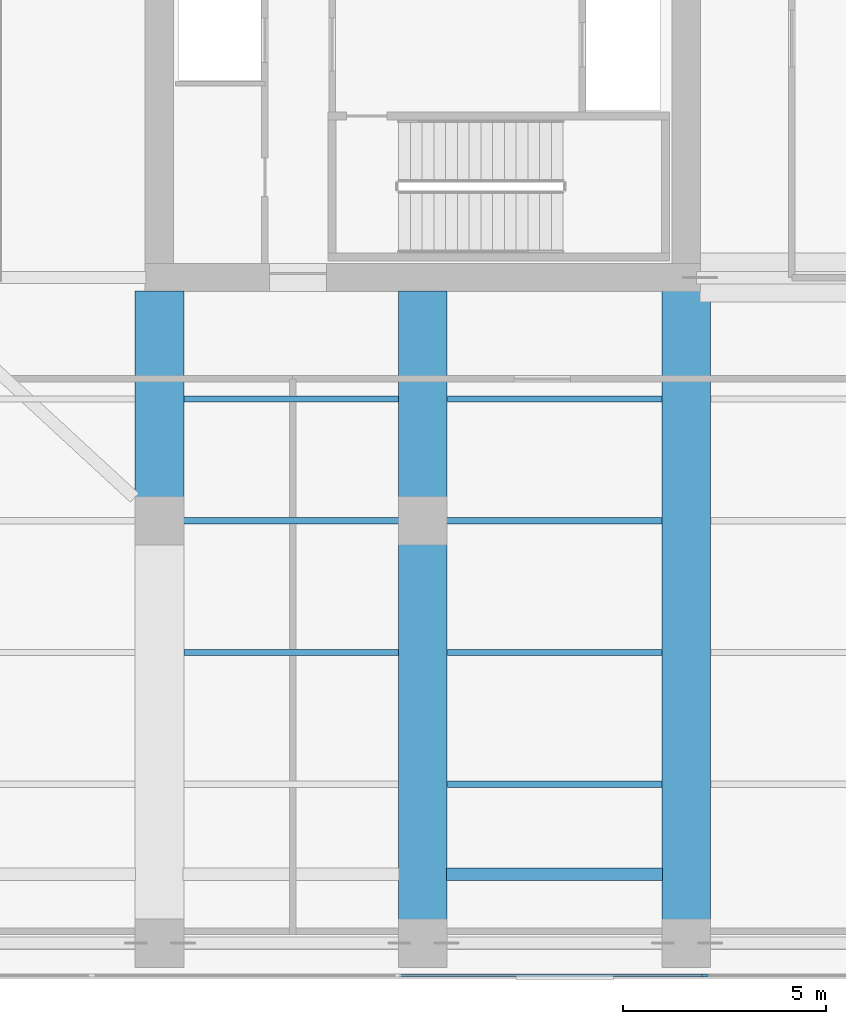
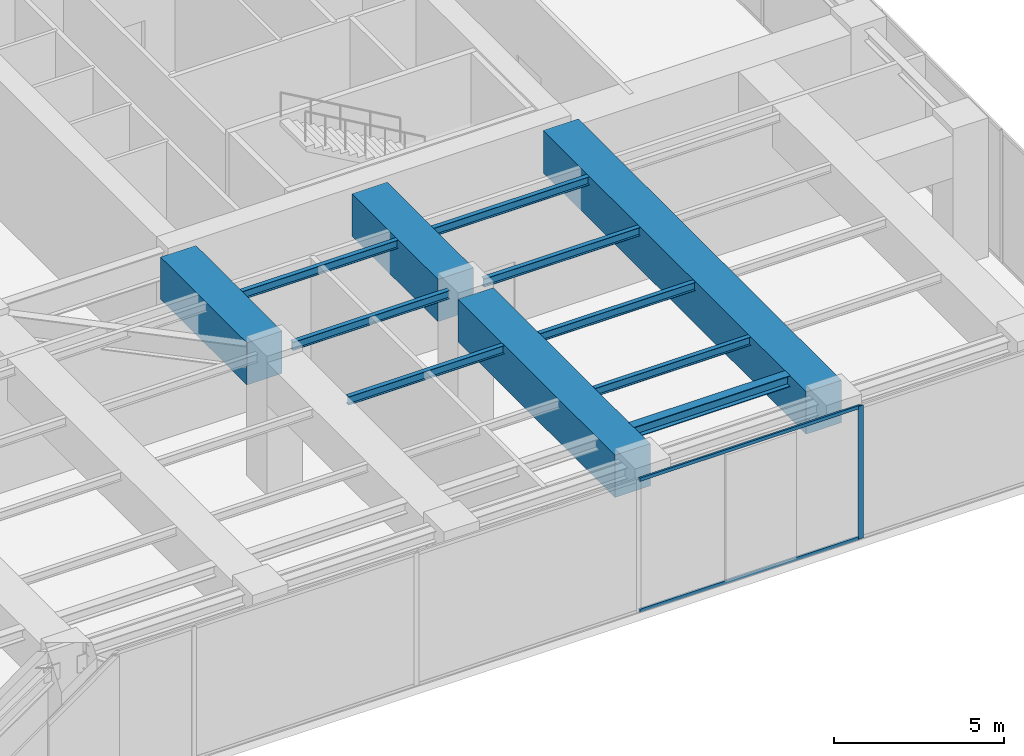
# One storey, part 6 of 28: 12 beams, 3 members, 1 element without a shape of its own.
"""IFC4 building model written with IfcOpenShell, lengths in metres."""

import ifcopenshell
import ifcopenshell.guid

model = None  # the IFC model being written
_history = None  # IfcOwnerHistory: only IFC2X3 demands one
_inside = {}  # id of a spatial element -> (the spatial element, [elements in it])
_under = {}  # id of a project, library or spatial element -> (it, [spatial elements below it])
_declared = {}  # id of a project -> (the project, [libraries it declares])
_typed = {}  # id of a type object -> (the type object, [elements of that type])
_made_of = {}  # id of a material, layer set ... -> (it, [elements and type objects made of it])


def new_model(schema):
    """Start an empty IFC model of exactly this schema.

    Asked for "IFC4X3", IfcOpenShell would pick the latest addendum, in which some entities
    have other attributes; the version numbers below select the first issue.
    IFC2X3 requires an IfcOwnerHistory on every rooted entity: one is made here for all.
    """
    global model, _history
    if schema == "IFC4X3":
        model = ifcopenshell.file(schema_version=(4, 3, 0, 0))
    else:
        model = ifcopenshell.file(schema=schema)
    _inside.clear()
    _under.clear()
    _declared.clear()
    _typed.clear()
    _made_of.clear()
    _history = None
    if model.schema == "IFC2X3":
        org = make("IfcOrganization", Name="unknown")
        user = make(
            "IfcPersonAndOrganization",
            ThePerson=make("IfcPerson", FamilyName="unknown"),
            TheOrganization=org,
        )
        app = make(
            "IfcApplication",
            ApplicationDeveloper=org,
            Version="unknown",
            ApplicationFullName="unknown",
            ApplicationIdentifier="unknown",
        )
        _history = make(
            "IfcOwnerHistory",
            OwningUser=user,
            OwningApplication=app,
            ChangeAction="ADDED",
            CreationDate=0,
        )
    return model


def make(cls, **values):
    """One entity of the class cls with the attributes given. An attribute that is None is left unset."""
    return model.create_entity(
        cls, **{name: value for name, value in values.items() if value is not None}
    )


def rooted(cls, **values):
    """An entity with a GlobalId (a new one), such as an element, a storey or a relation."""
    return make(cls, GlobalId=ifcopenshell.guid.new(), OwnerHistory=_history, **values)


def si_unit(unit_type, name, prefix=None):
    """IfcSIUnit, for example si_unit("LENGTHUNIT", "METRE", prefix="MILLI")."""
    return make("IfcSIUnit", UnitType=unit_type, Prefix=prefix, Name=name)


def assignment(units):
    """IfcUnitAssignment: the units of a project."""
    return None if units is None else make("IfcUnitAssignment", Units=units)


def point(xyz):
    """IfcCartesianPoint."""
    return None if xyz is None else make("IfcCartesianPoint", Coordinates=xyz)


def direction(xyz):
    """IfcDirection."""
    return None if xyz is None else make("IfcDirection", DirectionRatios=xyz)


def frame(location, z_axis=None, x_axis=None):
    """IfcAxis2Placement3D, a coordinate frame: its origin and axes. An axis left out is left unset."""
    return make(
        "IfcAxis2Placement3D",
        Location=point(location),
        Axis=direction(z_axis),
        RefDirection=direction(x_axis),
    )


def frame_2d(location, x_axis=None):
    """IfcAxis2Placement2D, a coordinate frame in the plane: its origin and x axis."""
    return make(
        "IfcAxis2Placement2D", Location=point(location), RefDirection=direction(x_axis)
    )


def origin():
    """The frame at (0, 0, 0) with its axes left unset."""
    return frame((0.0, 0.0, 0.0))


def origin_2d():
    """The frame at (0, 0) in the plane with its x axis left unset."""
    return frame_2d((0.0, 0.0))


def place(relative_to, where):
    """IfcLocalPlacement: puts the frame where relative to a parent placement (None: the world)."""
    return make(
        "IfcLocalPlacement", PlacementRelTo=relative_to, RelativePlacement=where
    )


def context(
    kind, dimensions, precision=None, world=None, true_north=None, identifier=None
):
    """IfcGeometricRepresentationContext, for example the 3D "Model" context."""
    return make(
        "IfcGeometricRepresentationContext",
        ContextIdentifier=identifier,
        ContextType=kind,
        CoordinateSpaceDimension=dimensions,
        Precision=precision,
        WorldCoordinateSystem=world,
        TrueNorth=true_north,
    )


def subcontext(parent, identifier, kind, view, scale=None):
    """IfcGeometricRepresentationSubContext, for example "Body" below "Model"."""
    return make(
        "IfcGeometricRepresentationSubContext",
        ContextIdentifier=identifier,
        ContextType=kind,
        ParentContext=parent,
        TargetScale=scale,
        TargetView=view,
    )


def project(units=None, contexts=None):
    """IfcProject with its units and contexts."""
    return rooted(
        "IfcProject",
        Name="project",
        RepresentationContexts=contexts,
        UnitsInContext=assignment(units),
    )


def spatial(cls, under=None, at=None, **own):
    """A site, building, storey or space (cls), placed at a placement, below another one or the project."""
    s = rooted(cls, ObjectPlacement=at, **own)
    if under is not None:
        _under.setdefault(under.id(), (under, []))[1].append(s)
    return s


def profile(cls, at=None, kind="AREA", **sizes):
    """A parametric profile (cls). Its sizes go by their IFC names, for example OverallWidth=200.0."""
    return make(cls, ProfileType=kind, Position=at, **sizes)


def rectangle(**sizes):
    """IfcRectangleProfileDef."""
    return profile("IfcRectangleProfileDef", **sizes)


def i_section(**sizes):
    """IfcIShapeProfileDef."""
    return profile("IfcIShapeProfileDef", **sizes)


def extrude(swept, where, along, depth):
    """IfcExtrudedAreaSolid: the profile swept, set in the frame where, extruded along a direction by depth."""
    return make(
        "IfcExtrudedAreaSolid",
        SweptArea=swept,
        Position=where,
        ExtrudedDirection=direction(along),
        Depth=depth,
    )


def shape(context_of_items, identifier, shape_type, items):
    """IfcShapeRepresentation: the items that make up one representation, for example the "Body"."""
    return make(
        "IfcShapeRepresentation",
        ContextOfItems=context_of_items,
        RepresentationIdentifier=identifier,
        RepresentationType=shape_type,
        Items=items,
    )


def material(Name=None, Category=None):
    """IfcMaterial."""
    return make("IfcMaterial", Name=Name, Category=Category)


def layer(
    of_material, thickness, ventilated=None, Name=None, Category=None, Priority=None
):
    """IfcMaterialLayer: one layer of a wall or slab, of a material (None: an air gap)."""
    return make(
        "IfcMaterialLayer",
        Material=of_material,
        LayerThickness=thickness,
        IsVentilated=ventilated,
        Name=Name,
        Category=Category,
        Priority=Priority,
    )


def layer_set(layers, Name=None):
    """IfcMaterialLayerSet."""
    return make("IfcMaterialLayerSet", MaterialLayers=layers, LayerSetName=Name)


def material_profile(
    of_material, cross_section, Name=None, Category=None, Priority=None
):
    """IfcMaterialProfile: a cross section and its material."""
    return make(
        "IfcMaterialProfile",
        Name=Name,
        Material=of_material,
        Profile=cross_section,
        Priority=Priority,
        Category=Category,
    )


def profile_set(profiles, Name=None, composite=None):
    """IfcMaterialProfileSet."""
    return make(
        "IfcMaterialProfileSet",
        Name=Name,
        MaterialProfiles=profiles,
        CompositeProfile=composite,
    )


def made_of(thing, what):
    """Note that an element or type object is made of a material, layer set ...; save() writes the relation."""
    if what is not None:
        _made_of.setdefault(what.id(), (what, []))[1].append(thing)
    return thing


def type_object(cls, material=None, **own):
    """A type object (cls), such as IfcWallType, which elements share."""
    return made_of(rooted(cls, **own), material)


def element(
    cls,
    number,
    at=None,
    inside=None,
    cuts=None,
    type_object=None,
    material=None,
    context=None,
    identifier="Body",
    shape_type=None,
    held_by="IfcProductDefinitionShape",
    body=None,
    shapes=None,
    **own,
):
    """One element of the class cls, such as IfcWall. Its Tag is "e" and its number.

    at: its placement. inside: the storey or other place that contains it. cuts: it is an
    opening in that element (IfcRelVoidsElement). A single representation is given by context,
    identifier, shape_type and body (its items); several are given by shapes. held_by: the class
    of the entity that holds the representations. save() writes the other relations.
    """
    e = rooted(cls, Tag="e%d" % number, ObjectPlacement=at, **own)
    if body is not None:
        shapes = [shape(context, identifier, shape_type, body)]
    if shapes is not None:
        e.Representation = make(held_by, Representations=shapes)
    if inside is not None:
        _inside.setdefault(inside.id(), (inside, []))[1].append(e)
    if cuts is not None:
        rooted(
            "IfcRelVoidsElement", RelatingBuildingElement=cuts, RelatedOpeningElement=e
        )
    if type_object is not None:
        _typed.setdefault(type_object.id(), (type_object, []))[1].append(e)
    return made_of(e, material)


def aggregate(whole, parts):
    """IfcRelAggregates: a whole, such as a stair, and the parts it consists of."""
    return rooted("IfcRelAggregates", RelatingObject=whole, RelatedObjects=parts)


def save(model, path):
    """Write the relations noted so far, then the file.

    IfcRelAggregates (storeys below a building ...), IfcRelContainedInSpatialStructure (elements
    in a storey), IfcRelDefinesByType, IfcRelAssociatesMaterial and IfcRelDeclares: one each for
    every whole, place, type object, material and project.
    """
    for whole, parts in _under.values():
        aggregate(whole, parts)
    for where, things in _inside.values():
        rooted(
            "IfcRelContainedInSpatialStructure",
            RelatedElements=things,
            RelatingStructure=where,
        )
    for kind, things in _typed.values():
        rooted("IfcRelDefinesByType", RelatedObjects=things, RelatingType=kind)
    for what, things in _made_of.values():
        rooted("IfcRelAssociatesMaterial", RelatedObjects=things, RelatingMaterial=what)
    for by, libraries in _declared.values():
        rooted("IfcRelDeclares", RelatingContext=by, RelatedDefinitions=libraries)
    model.write(path)


model = new_model("IFC4")

# Units and contexts
model_context = context("Model", 3, precision=1e-05, world=origin(), true_north=direction((0.0, 1.0)))
body_context = subcontext(model_context, "Body", "Model", "MODEL_VIEW")
ifc_project = project(units=[si_unit("LENGTHUNIT", "METRE"), si_unit("AREAUNIT", "SQUARE_METRE"), si_unit("VOLUMEUNIT", "CUBIC_METRE"), si_unit("PLANEANGLEUNIT", "RADIAN"), si_unit("MASSUNIT", "GRAM", prefix="KILO")], contexts=[model_context])

# Site, building, storey
site_placement = place(None, origin())
site = spatial("IfcSite", under=ifc_project, at=site_placement, CompositionType="ELEMENT")
building_placement = place(site_placement, origin())
building = spatial("IfcBuilding", under=site, at=building_placement, Name="Putna Gate Headquarters", CompositionType="ELEMENT")
storey_placement = place(building_placement, frame((0.0, 0.0, 139.199951171875)))
storey = spatial("IfcBuildingStorey", under=building, at=storey_placement, Name="L34", CompositionType="ELEMENT", Elevation=139.199951171875)

# Beams
ifc_material_1 = material(Name="Steel S355J2", Category="steel")
ifc_material_profile_1 = material_profile(ifc_material_1, i_section(OverallWidth=0.14990234375, OverallDepth=0.300048828125, WebThickness=0.007080078125, FlangeThickness=0.0107421875, at=origin_2d()), Name="Steel S355J2")
ifc_profile_set_1 = profile_set([ifc_material_profile_1], Name="Steel S355J2")
beam_type_1 = type_object("IfcBeamType", Name="BM-SEC-Z3-IPE300", PredefinedType="JOIST", material=ifc_profile_set_1)
beam_1_placement = place(storey_placement, frame((52.60400390625, 9.75, 4.6220703125), z_axis=(1.0, 0.0, 0.0), x_axis=(0.0, 1.0, 0.0)))
element("IfcBeam", 1, at=beam_1_placement, inside=storey, type_object=beam_type_1, Name="L34 South Secondary Beam 8", PredefinedType="JOIST", context=body_context, shape_type="SweptSolid", body=[
    extrude(i_section(OverallWidth=0.14990234375, OverallDepth=0.300048828125, WebThickness=0.007080078125, FlangeThickness=0.0107421875, at=origin_2d()), origin(), (0.0, 0.0, 1.0), 5.2919921875),
])
beam_2_placement = place(storey_placement, frame((52.587890625, 13.0, 4.6220703125), z_axis=(1.0, 0.0, 0.0), x_axis=(0.0, 1.0, 0.0)))
element("IfcBeam", 2, at=beam_2_placement, inside=storey, type_object=beam_type_1, Name="L34 South Secondary Beam 8", PredefinedType="JOIST", context=body_context, shape_type="SweptSolid", body=[
    extrude(i_section(OverallWidth=0.14990234375, OverallDepth=0.300048828125, WebThickness=0.007080078125, FlangeThickness=0.0107421875, at=origin_2d()), origin(), (0.0, 0.0, 1.0), 5.32421875),
])
for number, where, z_axis, x_axis, name in (
    (3, (52.60400390625, 16.0, 4.6220703125), (1.0, 0.0, 0.0), (0.0, 1.0, 0.0), "L34 South Secondary Beam 8"),
    (4, (59.10400390625, 6.5, 4.6220703125), (1.0, 0.0, 0.0), (0.0, 1.0, 0.0), "L34 South Secondary Beam 9"),
    (5, (59.10400390625, 9.75, 4.6220703125), (1.0, 0.0, 0.0), (0.0, 1.0, 0.0), "L34 South Secondary Beam 9"),
):
    element("IfcBeam", number, at=place(storey_placement, frame(where, z_axis=z_axis, x_axis=x_axis)), inside=storey, type_object=beam_type_1, Name=name, PredefinedType="JOIST", context=body_context, shape_type="SweptSolid", body=[
        extrude(i_section(OverallWidth=0.14990234375, OverallDepth=0.300048828125, WebThickness=0.007080078125, FlangeThickness=0.0107421875, at=origin_2d()), origin(), (0.0, 0.0, 1.0), 5.2919921875),
    ])
beam_3_placement = place(storey_placement, frame((59.087890625, 13.0, 4.6220703125), z_axis=(1.0, 0.0, 0.0), x_axis=(0.0, 1.0, 0.0)))
element("IfcBeam", 6, at=beam_3_placement, inside=storey, type_object=beam_type_1, Name="L34 South Secondary Beam 9", PredefinedType="JOIST", context=body_context, shape_type="SweptSolid", body=[
    extrude(i_section(OverallWidth=0.14990234375, OverallDepth=0.300048828125, WebThickness=0.007080078125, FlangeThickness=0.0107421875, at=origin_2d()), origin(), (0.0, 0.0, 1.0), 5.30810546875),
])
beam_4_placement = place(storey_placement, frame((59.10400390625, 16.0, 4.6220703125), z_axis=(1.0, 0.0, 0.0), x_axis=(0.0, 1.0, 0.0)))
element("IfcBeam", 7, at=beam_4_placement, inside=storey, type_object=beam_type_1, Name="L34 South Secondary Beam 9", PredefinedType="JOIST", context=body_context, shape_type="SweptSolid", body=[
    extrude(i_section(OverallWidth=0.14990234375, OverallDepth=0.300048828125, WebThickness=0.007080078125, FlangeThickness=0.0107421875, at=origin_2d()), origin(), (0.0, 0.0, 1.0), 5.2919921875),
])
ifc_material_profile_2 = material_profile(ifc_material_1, i_section(OverallWidth=0.300048828125, OverallDepth=0.39990234375, WebThickness=0.013427734375, FlangeThickness=0.02392578125, at=origin_2d()), Name="Steel S355J2")
ifc_profile_set_2 = profile_set([ifc_material_profile_2], Name="Steel S355J2")
beam_type_2 = type_object("IfcBeamType", Name="BM-SPAN-Z3-HEB400", PredefinedType="SPANDREL", material=ifc_profile_set_2)
beam_5_placement = place(storey_placement, frame((59.0849609375, 4.280029296875, 4.572021484375), z_axis=(1.0, 0.0, 0.0), x_axis=(0.0, 1.0, 0.0)))
element("IfcBeam", 8, at=beam_5_placement, inside=storey, type_object=beam_type_2, Name="L34 Setback Edge Beam S8", PredefinedType="SPANDREL", context=body_context, shape_type="SweptSolid", body=[
    extrude(i_section(OverallWidth=0.300048828125, OverallDepth=0.39990234375, WebThickness=0.013427734375, FlangeThickness=0.02392578125, at=origin_2d()), origin(), (0.0, 0.0, 1.0), 5.330078125),
])
ifc_material_2 = material(Name="Concrete C50/60", Category="concrete")
ifc_material_profile_3 = material_profile(ifc_material_2, rectangle(XDim=1.199951171875, YDim=1.52001953125, at=origin_2d()), Name="Concrete C50/60")
ifc_profile_set_3 = profile_set([ifc_material_profile_3], Name="Concrete C50/60")
beam_type_3 = type_object("IfcBeamType", Name="BM-TG-RC1520", PredefinedType="USERDEFINED", material=ifc_profile_set_3)
beam_6_placement = place(storey_placement, frame((52.0, 13.587890625, 4.011962890625), z_axis=(0.0, 1.0, 0.0), x_axis=(-1.0, 0.0, 0.0)))
element("IfcBeam", 9, at=beam_6_placement, inside=storey, type_object=beam_type_3, Name="L34 South Primary Girder X52-2", ObjectType="GIRDER", PredefinedType="USERDEFINED", context=body_context, shape_type="SweptSolid", body=[
    extrude(rectangle(XDim=1.199951171875, YDim=1.52001953125, at=origin_2d()), origin(), (0.0, 0.0, 1.0), 5.0771484375),
])
beam_7_placement = place(storey_placement, frame((58.5, 3.16796875, 4.011962890625), z_axis=(0.0, 1.0, 0.0), x_axis=(-1.0, 0.0, 0.0)))
element("IfcBeam", 10, at=beam_7_placement, inside=storey, type_object=beam_type_3, Name="L34 South Primary Girder X58-1", ObjectType="GIRDER", PredefinedType="USERDEFINED", context=body_context, shape_type="SweptSolid", body=[
    extrude(rectangle(XDim=1.199951171875, YDim=1.52001953125, at=origin_2d()), origin(), (0.0, 0.0, 1.0), 9.244140625),
])
beam_8_placement = place(storey_placement, frame((58.5, 13.587890625, 4.011962890625), z_axis=(0.0, 1.0, 0.0), x_axis=(-1.0, 0.0, 0.0)))
element("IfcBeam", 11, at=beam_8_placement, inside=storey, type_object=beam_type_3, Name="L34 South Primary Girder X58-2", ObjectType="GIRDER", PredefinedType="USERDEFINED", context=body_context, shape_type="SweptSolid", body=[
    extrude(rectangle(XDim=1.199951171875, YDim=1.52001953125, at=origin_2d()), origin(), (0.0, 0.0, 1.0), 5.0771484375),
])
beam_9_placement = place(storey_placement, frame((65.0, 3.16796875, 4.011962890625), z_axis=(0.0, 1.0, 0.0), x_axis=(-1.0, 0.0, 0.0)))
element("IfcBeam", 12, at=beam_9_placement, inside=storey, type_object=beam_type_3, Name="L34 South Primary Girder X65", ObjectType="GIRDER", PredefinedType="USERDEFINED", context=body_context, shape_type="SweptSolid", body=[
    extrude(rectangle(XDim=1.199951171875, YDim=1.52001953125, at=origin_2d()), origin(), (0.0, 0.0, 1.0), 15.4970703125),
])

# Curtain wall, members
ifc_material_3 = material(Name="Anodised bronze aluminium curtain wall", Category="aluminium")
ifc_layer = layer(ifc_material_3, 0.159912109375)
ifc_layer_set = layer_set([ifc_layer], Name="Anodised bronze aluminium curtain wall")
curtain_wall_type = type_object("IfcCurtainWallType", Name="CW-SYS-CRN", PredefinedType="USERDEFINED", material=ifc_layer_set)
curtain_wall_placement = place(storey_placement, origin())
curtain_wall = element("IfcCurtainWall", 13, at=curtain_wall_placement, inside=storey, type_object=curtain_wall_type, Name="L34 Acoustic Louvre South Enclosure", ObjectType="STICK CURTAIN WALL", PredefinedType="USERDEFINED")
ifc_material_4 = material(Name="Anodised bronze aluminium EN AW-6060", Category="aluminium")
ifc_material_profile_4 = material_profile(ifc_material_4, rectangle(XDim=0.06494140625, YDim=0.159912109375, at=origin_2d()), Name="Anodised bronze aluminium EN AW-6060")
ifc_profile_set_4 = profile_set([ifc_material_profile_4], Name="Anodised bronze aluminium EN AW-6060")
member_type_1 = type_object("IfcMemberType", Name="MULL-CWM-CR", PredefinedType="MULLION", material=ifc_profile_set_4)
member_1_placement = place(storey_placement, frame((65.4443359375, 1.780029296875, 0.0), z_axis=(0.0, 0.0, 1.0), x_axis=(0.0, 1.0, 0.0)))
member_1 = element("IfcMember", 14, at=member_1_placement, type_object=member_type_1, Name="CWS-CR mullion 9", PredefinedType="MULLION", context=body_context, shape_type="SweptSolid", body=[
    extrude(rectangle(XDim=0.06494140625, YDim=0.159912109375, at=origin_2d()), origin(), (0.0, 0.0, 1.0), 4.77197265625),
])
ifc_material_profile_5 = material_profile(ifc_material_4, rectangle(XDim=0.06494140625, YDim=0.1201171875, at=origin_2d()), Name="Anodised bronze aluminium EN AW-6060")
ifc_profile_set_5 = profile_set([ifc_material_profile_5], Name="Anodised bronze aluminium EN AW-6060")
member_type_2 = type_object("IfcMemberType", Name="TRAN-CWT-CR", PredefinedType="USERDEFINED", material=ifc_profile_set_5)
member_2_placement = place(storey_placement, frame((57.92138671875, 1.780029296875, 0.032470703125), z_axis=(1.0, 0.0, 0.0), x_axis=(0.0, 1.0, 0.0)))
member_2 = element("IfcMember", 15, at=member_2_placement, type_object=member_type_2, Name="CWS-CR transom 8.1", ObjectType="TRANSOM", PredefinedType="USERDEFINED", context=body_context, shape_type="SweptSolid", body=[
    extrude(rectangle(XDim=0.06494140625, YDim=0.1201171875, at=origin_2d()), origin(), (0.0, 0.0, 1.0), 7.490478515625),
])
member_3_placement = place(storey_placement, frame((57.92138671875, 1.780029296875, 4.739501953125), z_axis=(1.0, 0.0, 0.0), x_axis=(0.0, 1.0, 0.0)))
member_3 = element("IfcMember", 16, at=member_3_placement, type_object=member_type_2, Name="CWS-CR transom 8.2", ObjectType="TRANSOM", PredefinedType="USERDEFINED", context=body_context, shape_type="SweptSolid", body=[
    extrude(rectangle(XDim=0.06494140625, YDim=0.1201171875, at=origin_2d()), origin(), (0.0, 0.0, 1.0), 7.490478515625),
])
aggregate(curtain_wall, [member_1, member_2, member_3])

save(model, "model.ifc")
